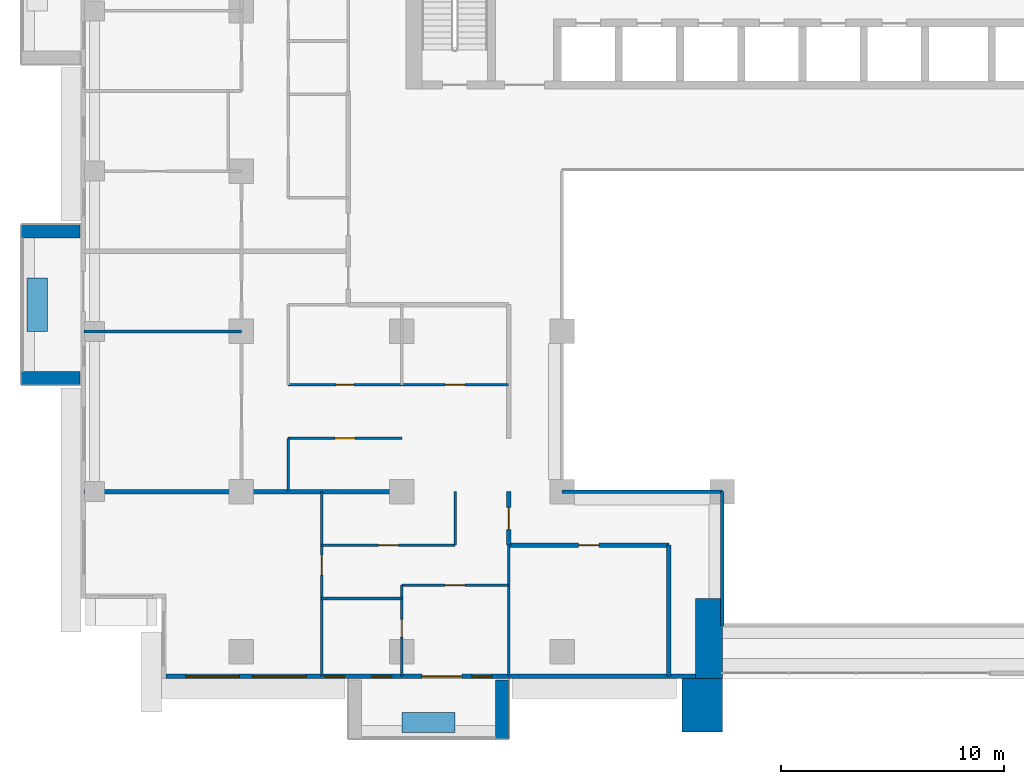
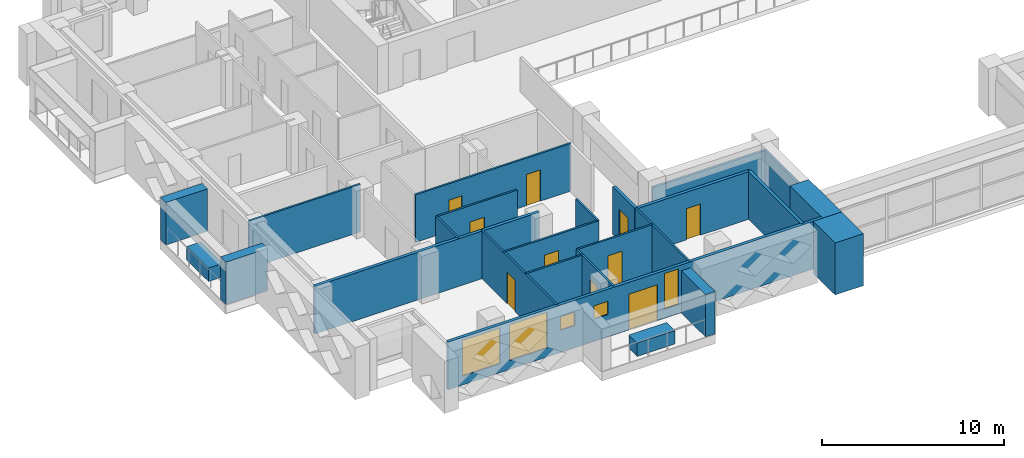
# One storey, part 6 of 20: 25 walls, 10 doors, 5 windows, 15 openings.
"""IFC4 building model written with IfcOpenShell, lengths in metres."""

from ifc_helpers import new_model, si_unit, direction, frame, frame_2d, origin, place, context, subcontext, project, spatial, rectangle, extrude, material, layer, layer_set, type_object, element, fill, save


model = new_model("IFC4")

# Units and contexts
model_context = context("Model", 3, precision=1e-05, world=origin(), true_north=direction((0.0, 1.0)))
body_context = subcontext(model_context, "Body", "Model", "MODEL_VIEW")
ifc_project = project(units=[si_unit("LENGTHUNIT", "METRE"), si_unit("AREAUNIT", "SQUARE_METRE"), si_unit("VOLUMEUNIT", "CUBIC_METRE"), si_unit("PLANEANGLEUNIT", "RADIAN"), si_unit("MASSUNIT", "GRAM", prefix="KILO")], contexts=[model_context])

# Site, building, storey
site_placement = place(None, origin())
site = spatial("IfcSite", under=ifc_project, at=site_placement, CompositionType="ELEMENT")
building_placement = place(site_placement, origin())
building = spatial("IfcBuilding", under=site, at=building_placement, Name="Saffron Iwan Residences", CompositionType="ELEMENT")
storey_placement = place(building_placement, frame((0.0, 0.0, 123.5)))
storey = spatial("IfcBuildingStorey", under=building, at=storey_placement, Name="L32", CompositionType="ELEMENT", Elevation=123.5)

# Walls
ifc_material_1 = material(Name="Fire-rated glazing", Category="glass")
ifc_layer_1 = layer(ifc_material_1, 0.14990234375)
ifc_layer_set_1 = layer_set([ifc_layer_1], Name="Fire-rated glazing")
wall_type_1 = type_object("IfcWallType", Name="Atrium glazed screen 150", PredefinedType="SOLIDWALL", material=ifc_layer_set_1)
wall_1_placement = place(storey_placement, frame((36.0, 48.0, 0.0), z_axis=(0.0, 0.0, 1.0), x_axis=(1.0, 0.0, 0.0)))
element("IfcWall", 1, at=wall_1_placement, inside=storey, type_object=wall_type_1, Name="W-L32-SCREEN-h48-36", PredefinedType="SOLIDWALL", context=body_context, shape_type="SweptSolid", body=[
    extrude(rectangle(XDim=7.199951171875, YDim=0.14990234375, at=frame_2d((3.60009765625, 0.0))), origin(), (0.0, 0.0, 1.0), 2.300048828125),
])
wall_2_placement = place(storey_placement, frame((43.199951171875, 42.0, 0.0), z_axis=(0.0, 0.0, 1.0), x_axis=(0.0, 1.0, 0.0)))
element("IfcWall", 2, at=wall_2_placement, inside=storey, type_object=wall_type_1, Name="W-L32-SCREEN-v43.2-42", PredefinedType="SOLIDWALL", context=body_context, shape_type="SweptSolid", body=[
    extrude(rectangle(XDim=6.0, YDim=0.14990234375, at=frame_2d((3.0, 0.0))), origin(), (0.0, 0.0, 1.0), 2.300048828125),
])
ifc_material_2 = material(Name="Concrete C50/60 white painted", Category="concrete")
ifc_layer_2 = layer(ifc_material_2, 0.60009765625)
ifc_layer_set_2 = layer_set([ifc_layer_2], Name="Concrete C50/60 white painted")
wall_type_2 = type_object("IfcWallType", Name="BALCONY FIN 600", PredefinedType="SOLIDWALL", material=ifc_layer_set_2)
for number, where, z_axis, x_axis, name in (
    (3, (14.35009765625, 59.699951171875, 0.0), (0.0, 0.0, 1.0), (-1.0, 0.0, 0.0), "Balcony fin L32 F8-1a"),
    (4, (14.35009765625, 53.10009765625, 0.0), (0.0, 0.0, 1.0), (-1.0, 0.0, 0.0), "Balcony fin L32 F8-1b"),
    (5, (33.300048828125, 39.550048828125, 0.0), (0.0, 0.0, 1.0), (0.0, -1.0, 0.0), "Balcony fin L32 11-0b"),
):
    element("IfcWall", number, at=place(storey_placement, frame(where, z_axis=z_axis, x_axis=x_axis)), inside=storey, type_object=wall_type_2, Name=name, PredefinedType="SOLIDWALL", context=body_context, shape_type="SweptSolid", body=[
        extrude(rectangle(XDim=2.650146484375, YDim=0.60009765625, at=frame_2d((1.3251953125, 0.0))), origin(), (0.0, 0.0, 1.0), 2.85009765625),
    ])
ifc_material_3 = material(Name="Concrete C35/45 white painted", Category="concrete")
ifc_layer_3 = layer(ifc_material_3, 0.14990234375)
ifc_layer_set_3 = layer_set([ifc_layer_3], Name="Concrete C35/45 white painted")
wall_type_3 = type_object("IfcWallType", Name="BALCONY PLANTER", PredefinedType="SOLIDWALL", material=ifc_layer_set_3)
wall_3_placement = place(storey_placement, frame((12.425048828125, 57.60009765625, 0.0), z_axis=(0.0, 0.0, 1.0), x_axis=(0.0, -1.0, 0.0)))
element("IfcWall", 6, at=wall_3_placement, inside=storey, type_object=wall_type_3, Name="PLANTER L32 F8-1", PredefinedType="SOLIDWALL", context=body_context, shape_type="SweptSolid", body=[
    extrude(rectangle(XDim=2.400146484375, YDim=0.89990234375, at=frame_2d((1.2001953125, 0.0))), origin(), (0.0, 0.0, 1.0), 0.89990234375),
])
wall_4_placement = place(storey_placement, frame((28.800048828125, 37.625, 0.0), z_axis=(0.0, 0.0, 1.0), x_axis=(1.0, 0.0, 0.0)))
element("IfcWall", 7, at=wall_4_placement, inside=storey, type_object=wall_type_3, Name="PLANTER L32 11-0", PredefinedType="SOLIDWALL", context=body_context, shape_type="SweptSolid", body=[
    extrude(rectangle(XDim=2.39990234375, YDim=0.89990234375, at=frame_2d((1.199951171875, 0.0))), origin(), (0.0, 0.0, 1.0), 0.89990234375),
])

# Wall, openings, door, windows
ifc_material_4 = material(Name="Concrete C40/50", Category="concrete")
ifc_layer_4 = layer(ifc_material_4, 0.199951171875)
ifc_layer_set_4 = layer_set([ifc_layer_4], Name="Concrete C40/50")
wall_type_4 = type_object("IfcWallType", Name="EXTERNAL WALL 200", PredefinedType="SOLIDWALL", material=ifc_layer_set_4)
wall_5_placement = place(storey_placement, frame((18.199951171875, 39.699951171875, 0.0), z_axis=(0.0, 0.0, 1.0), x_axis=(1.0, 0.0, 0.0)))
wall_5 = element("IfcWall", 8, at=wall_5_placement, inside=storey, type_object=wall_type_4, Name="External wall L32 F11.0", PredefinedType="SOLIDWALL", context=body_context, shape_type="SweptSolid", body=[
    extrude(rectangle(XDim=23.800048828125, YDim=0.199951171875, at=frame_2d((11.89990234375, 0.0))), origin(), (0.0, 0.0, 1.0), 3.199951171875),
])
opening_1_placement = place(wall_5_placement, frame((11.5, 0.0, 0.0)))
opening_1 = element("IfcOpeningElement", 9, at=opening_1_placement, cuts=wall_5, Name="Opening BD1", PredefinedType="OPENING", context=body_context, shape_type="SweptSolid", body=[
    extrude(rectangle(XDim=1.800048828125, YDim=2.39990234375, at=frame_2d((0.89990234375, 1.199951171875))), frame((0.0, 0.10986328125, 0.0), z_axis=(0.0, -1.0, 0.0), x_axis=(1.0, 0.0, 0.0)), (0.0, 0.0, 1.0), 0.219970703125),
])
opening_2_placement = place(wall_5_placement, frame((0.89990234375, 0.0, 0.60009765625)))
opening_2 = element("IfcOpeningElement", 10, at=opening_2_placement, cuts=wall_5, Name="Opening W1", PredefinedType="OPENING", context=body_context, shape_type="SweptSolid", body=[
    extrude(rectangle(XDim=2.39990234375, YDim=2.39990234375, at=frame_2d((1.199951171875, 1.199951171875))), frame((0.0, 0.10986328125, 0.0), z_axis=(0.0, -1.0, 0.0), x_axis=(1.0, 0.0, 0.0)), (0.0, 0.0, 1.0), 0.219970703125),
])
opening_3_placement = place(wall_5_placement, frame((3.89990234375, 0.0, 0.60009765625)))
opening_3 = element("IfcOpeningElement", 11, at=opening_3_placement, cuts=wall_5, Name="Opening W1", PredefinedType="OPENING", context=body_context, shape_type="SweptSolid", body=[
    extrude(rectangle(XDim=2.39990234375, YDim=2.39990234375, at=frame_2d((1.199951171875, 1.199951171875))), frame((0.0, 0.10986328125, 0.0), z_axis=(0.0, -1.0, 0.0), x_axis=(1.0, 0.0, 0.0)), (0.0, 0.0, 1.0), 0.219970703125),
])
opening_4_placement = place(wall_5_placement, frame((13.75, 0.0, 0.60009765625)))
opening_4 = element("IfcOpeningElement", 12, at=opening_4_placement, cuts=wall_5, Name="Opening W10", PredefinedType="OPENING", context=body_context, shape_type="SweptSolid", body=[
    extrude(rectangle(XDim=0.89990234375, YDim=2.39990234375, at=frame_2d((0.449951171875, 1.199951171875))), frame((0.0, 0.10986328125, 0.0), z_axis=(0.0, -1.0, 0.0), x_axis=(1.0, 0.0, 0.0)), (0.0, 0.0, 1.0), 0.219970703125),
])
opening_5_placement = place(wall_5_placement, frame((7.14990234375, 0.0, 1.5)))
opening_5 = element("IfcOpeningElement", 13, at=opening_5_placement, cuts=wall_5, Name="Opening W6", PredefinedType="OPENING", context=body_context, shape_type="SweptSolid", body=[
    extrude(rectangle(XDim=0.89990234375, YDim=0.89990234375, at=frame_2d((0.449951171875, 0.449951171875))), frame((0.0, 0.10986328125, 0.0), z_axis=(0.0, -1.0, 0.0), x_axis=(1.0, 0.0, 0.0)), (0.0, 0.0, 1.0), 0.219970703125),
])
opening_6_placement = place(wall_5_placement, frame((9.25, 0.0, 1.5)))
opening_6 = element("IfcOpeningElement", 14, at=opening_6_placement, cuts=wall_5, Name="Opening W6", PredefinedType="OPENING", context=body_context, shape_type="SweptSolid", body=[
    extrude(rectangle(XDim=0.89990234375, YDim=0.89990234375, at=frame_2d((0.449951171875, 0.449951171875))), frame((0.0, 0.10986328125, 0.0), z_axis=(0.0, -1.0, 0.0), x_axis=(1.0, 0.0, 0.0)), (0.0, 0.0, 1.0), 0.219970703125),
])
ifc_material_5 = material(Name="Clear glass, laminated double glazed", Category="glass")
door_type_1 = type_object("IfcDoorType", Name="BALCONY DOOR 1800 x 2400", OperationType="DOUBLE_DOOR_SLIDING", PredefinedType="DOOR", material=ifc_material_5)
door_1_placement = place(opening_1_placement, origin())
door_1 = element("IfcDoor", 15, at=door_1_placement, inside=storey, type_object=door_type_1, Name="Balcony door L32 F11.0", OperationType="DOUBLE_DOOR_SLIDING", OverallHeight=2.39990234375, OverallWidth=1.800048828125, PredefinedType="DOOR", context=body_context, shape_type="SweptSolid", body=[
    extrude(rectangle(XDim=1.800048828125, YDim=2.39990234375, at=frame_2d((0.89990234375, 1.199951171875))), frame((0.0, 0.02490234375, 0.0), z_axis=(0.0, -1.0, 0.0), x_axis=(1.0, 0.0, 0.0)), (0.0, 0.0, 1.0), 0.050048828125),
])
fill(opening_1, door_1)
window_type_1 = type_object("IfcWindowType", Name="WINDOW 2400 x 2400", PartitioningType="DOUBLE_PANEL_VERTICAL", PredefinedType="WINDOW", material=ifc_material_5)
window_1_placement = place(opening_2_placement, origin())
window_1 = element("IfcWindow", 16, at=window_1_placement, inside=storey, type_object=window_type_1, Name="Window L32 F11.1", OverallHeight=2.39990234375, OverallWidth=2.39990234375, PartitioningType="DOUBLE_PANEL_VERTICAL", PredefinedType="WINDOW", context=body_context, shape_type="SweptSolid", body=[
    extrude(rectangle(XDim=2.39990234375, YDim=2.39990234375, at=frame_2d((1.199951171875, 1.199951171875))), frame((0.0, 0.030029296875, 0.0), z_axis=(0.0, -1.0, 0.0), x_axis=(1.0, 0.0, 0.0)), (0.0, 0.0, 1.0), 0.06005859375),
])
fill(opening_2, window_1)
window_2_placement = place(opening_3_placement, origin())
window_2 = element("IfcWindow", 17, at=window_2_placement, inside=storey, type_object=window_type_1, Name="Window L32 F11.2", OverallHeight=2.39990234375, OverallWidth=2.39990234375, PartitioningType="DOUBLE_PANEL_VERTICAL", PredefinedType="WINDOW", context=body_context, shape_type="SweptSolid", body=[
    extrude(rectangle(XDim=2.39990234375, YDim=2.39990234375, at=frame_2d((1.199951171875, 1.199951171875))), frame((0.0, 0.030029296875, 0.0), z_axis=(0.0, -1.0, 0.0), x_axis=(1.0, 0.0, 0.0)), (0.0, 0.0, 1.0), 0.06005859375),
])
fill(opening_3, window_2)
window_type_2 = type_object("IfcWindowType", Name="WINDOW 900 x 2400", PartitioningType="SINGLE_PANEL", PredefinedType="WINDOW", material=ifc_material_5)
window_3_placement = place(opening_4_placement, origin())
window_3 = element("IfcWindow", 18, at=window_3_placement, inside=storey, type_object=window_type_2, Name="Window L32 F11.3", OverallHeight=2.39990234375, OverallWidth=0.89990234375, PartitioningType="SINGLE_PANEL", PredefinedType="WINDOW", context=body_context, shape_type="SweptSolid", body=[
    extrude(rectangle(XDim=0.89990234375, YDim=2.39990234375, at=frame_2d((0.449951171875, 1.199951171875))), frame((0.0, 0.030029296875, 0.0), z_axis=(0.0, -1.0, 0.0), x_axis=(1.0, 0.0, 0.0)), (0.0, 0.0, 1.0), 0.06005859375),
])
fill(opening_4, window_3)
window_type_3 = type_object("IfcWindowType", Name="WINDOW 900 x 900 BATH", PartitioningType="SINGLE_PANEL", PredefinedType="WINDOW", material=ifc_material_5)
window_4_placement = place(opening_5_placement, origin())
window_4 = element("IfcWindow", 19, at=window_4_placement, inside=storey, type_object=window_type_3, Name="Window L32 F11.4", OverallHeight=0.89990234375, OverallWidth=0.89990234375, PartitioningType="SINGLE_PANEL", PredefinedType="WINDOW", context=body_context, shape_type="SweptSolid", body=[
    extrude(rectangle(XDim=0.89990234375, YDim=0.89990234375, at=frame_2d((0.449951171875, 0.449951171875))), frame((0.0, 0.030029296875, 0.0), z_axis=(0.0, -1.0, 0.0), x_axis=(1.0, 0.0, 0.0)), (0.0, 0.0, 1.0), 0.06005859375),
])
fill(opening_5, window_4)
window_5_placement = place(opening_6_placement, origin())
window_5 = element("IfcWindow", 20, at=window_5_placement, inside=storey, type_object=window_type_3, Name="Window L32 F11.5", OverallHeight=0.89990234375, OverallWidth=0.89990234375, PartitioningType="SINGLE_PANEL", PredefinedType="WINDOW", context=body_context, shape_type="SweptSolid", body=[
    extrude(rectangle(XDim=0.89990234375, YDim=0.89990234375, at=frame_2d((0.449951171875, 0.449951171875))), frame((0.0, 0.030029296875, 0.0), z_axis=(0.0, -1.0, 0.0), x_axis=(1.0, 0.0, 0.0)), (0.0, 0.0, 1.0), 0.06005859375),
])
fill(opening_6, window_5)

# Walls
ifc_material_6 = material(Name="Fire-rated gypsum board wall")
ifc_layer_5 = layer(ifc_material_6, 0.199951171875)
ifc_layer_set_5 = layer_set([ifc_layer_5], Name="Fire-rated gypsum board wall")
wall_type_5 = type_object("IfcWallType", Name="Flat demising wall 200", PredefinedType="SOLIDWALL", material=ifc_layer_set_5)
wall_6_placement = place(storey_placement, frame((14.52490234375, 48.0, 0.0), z_axis=(0.0, 0.0, 1.0), x_axis=(1.0, 0.0, 0.0)))
element("IfcWall", 21, at=wall_6_placement, inside=storey, type_object=wall_type_5, Name="W-L32-DEMISE-h48-14.525", PredefinedType="SOLIDWALL", context=body_context, shape_type="SweptSolid", body=[
    extrude(rectangle(XDim=14.275146484375, YDim=0.199951171875, at=frame_2d((7.1376953125, 0.0))), origin(), (0.0, 0.0, 1.0), 3.199951171875),
])
ifc_material_7 = material(Name="Gypsum board partition")
ifc_layer_6 = layer(ifc_material_7, 0.1201171875)
ifc_layer_set_6 = layer_set([ifc_layer_6], Name="Gypsum board partition")
wall_type_6 = type_object("IfcWallType", Name="Flat partition 120", PredefinedType="PARTITIONING", material=ifc_layer_set_6)
wall_7_placement = place(storey_placement, frame((25.199951171875, 43.199951171875, 0.0), z_axis=(0.0, 0.0, 1.0), x_axis=(1.0, 0.0, 0.0)))
element("IfcWall", 22, at=wall_7_placement, inside=storey, type_object=wall_type_6, Name="W-L32-PART-h43.2-25.2", PredefinedType="PARTITIONING", context=body_context, shape_type="SweptSolid", body=[
    extrude(rectangle(XDim=3.60009765625, YDim=0.1201171875, at=frame_2d((1.800048828125, 0.0))), origin(), (0.0, 0.0, 1.0), 3.199951171875),
])

# Wall, opening, door
wall_8_placement = place(storey_placement, frame((28.800048828125, 43.800048828125, 0.0), z_axis=(0.0, 0.0, 1.0), x_axis=(1.0, 0.0, 0.0)))
wall_8 = element("IfcWall", 23, at=wall_8_placement, inside=storey, type_object=wall_type_6, Name="W-L32-PART-h43.8-28.8", PredefinedType="PARTITIONING", context=body_context, shape_type="SweptSolid", body=[
    extrude(rectangle(XDim=4.800048828125, YDim=0.1201171875, at=frame_2d((2.39990234375, 0.0))), origin(), (0.0, 0.0, 1.0), 3.199951171875),
])
opening_7_placement = place(wall_8_placement, frame((1.949951171875, 0.0, 0.0)))
opening_7 = element("IfcOpeningElement", 24, at=opening_7_placement, cuts=wall_8, Name="Opening FD2", PredefinedType="OPENING", context=body_context, shape_type="SweptSolid", body=[
    extrude(rectangle(XDim=0.89990234375, YDim=2.10009765625, at=frame_2d((0.449951171875, 1.050048828125))), frame((0.0, 0.070068359375, 0.0), z_axis=(0.0, -1.0, 0.0), x_axis=(1.0, 0.0, 0.0)), (0.0, 0.0, 1.0), 0.14013671875),
])
ifc_material_8 = material(Name="Timber door", Category="wood")
door_type_2 = type_object("IfcDoorType", Name="Flat door 900", OperationType="NOTDEFINED", PredefinedType="DOOR", material=ifc_material_8)
door_2_placement = place(opening_7_placement, origin())
door_2 = element("IfcDoor", 25, at=door_2_placement, inside=storey, type_object=door_type_2, Name="Door L32-003", OperationType="SINGLE_SWING_LEFT", OverallHeight=2.10009765625, OverallWidth=0.89990234375, PredefinedType="DOOR", context=body_context, shape_type="SweptSolid", body=[
    extrude(rectangle(XDim=0.89990234375, YDim=2.10009765625, at=frame_2d((0.449951171875, 1.050048828125))), frame((0.0, 0.02490234375, 0.0), z_axis=(0.0, -1.0, 0.0), x_axis=(1.0, 0.0, 0.0)), (0.0, 0.0, 1.0), 0.050048828125),
])
fill(opening_7, door_2)

wall_9_placement = place(storey_placement, frame((25.199951171875, 45.60009765625, 0.0), z_axis=(0.0, 0.0, 1.0), x_axis=(1.0, 0.0, 0.0)))
wall_9 = element("IfcWall", 26, at=wall_9_placement, inside=storey, type_object=wall_type_6, Name="W-L32-PART-h45.6-25.2", PredefinedType="PARTITIONING", context=body_context, shape_type="SweptSolid", body=[
    extrude(rectangle(XDim=6.0, YDim=0.1201171875, at=frame_2d((3.0, 0.0))), origin(), (0.0, 0.0, 1.0), 3.199951171875),
])
opening_8_placement = place(wall_9_placement, frame((2.550048828125, 0.0, 0.0)))
opening_8 = element("IfcOpeningElement", 27, at=opening_8_placement, cuts=wall_9, Name="Opening FD2", PredefinedType="OPENING", context=body_context, shape_type="SweptSolid", body=[
    extrude(rectangle(XDim=0.89990234375, YDim=2.10009765625, at=frame_2d((0.449951171875, 1.050048828125))), frame((0.0, 0.070068359375, 0.0), z_axis=(0.0, -1.0, 0.0), x_axis=(1.0, 0.0, 0.0)), (0.0, 0.0, 1.0), 0.14013671875),
])
door_3_placement = place(opening_8_placement, origin())
door_3 = element("IfcDoor", 28, at=door_3_placement, inside=storey, type_object=door_type_2, Name="Door L32-005", OperationType="SINGLE_SWING_RIGHT", OverallHeight=2.10009765625, OverallWidth=0.89990234375, PredefinedType="DOOR", context=body_context, shape_type="SweptSolid", body=[
    extrude(rectangle(XDim=0.89990234375, YDim=2.10009765625, at=frame_2d((0.449951171875, 1.050048828125))), frame((0.0, 0.02490234375, 0.0), z_axis=(0.0, -1.0, 0.0), x_axis=(1.0, 0.0, 0.0)), (0.0, 0.0, 1.0), 0.050048828125),
])
fill(opening_8, door_3)

wall_10_placement = place(storey_placement, frame((23.699951171875, 50.39990234375, 0.0), z_axis=(0.0, 0.0, 1.0), x_axis=(1.0, 0.0, 0.0)))
wall_10 = element("IfcWall", 29, at=wall_10_placement, inside=storey, type_object=wall_type_6, Name="W-L32-PART-h50.4-23.7", PredefinedType="PARTITIONING", context=body_context, shape_type="SweptSolid", body=[
    extrude(rectangle(XDim=5.10009765625, YDim=0.1201171875, at=frame_2d((2.550048828125, 0.0))), origin(), (0.0, 0.0, 1.0), 3.199951171875),
])
opening_9_placement = place(wall_10_placement, frame((2.10009765625, 0.0, 0.0)))
opening_9 = element("IfcOpeningElement", 30, at=opening_9_placement, cuts=wall_10, Name="Opening FD2", PredefinedType="OPENING", context=body_context, shape_type="SweptSolid", body=[
    extrude(rectangle(XDim=0.89990234375, YDim=2.10009765625, at=frame_2d((0.449951171875, 1.050048828125))), frame((0.0, 0.070068359375, 0.0), z_axis=(0.0, -1.0, 0.0), x_axis=(1.0, 0.0, 0.0)), (0.0, 0.0, 1.0), 0.14013671875),
])
door_4_placement = place(opening_9_placement, origin())
door_4 = element("IfcDoor", 31, at=door_4_placement, inside=storey, type_object=door_type_2, Name="Door L32-010", OperationType="SINGLE_SWING_LEFT", OverallHeight=2.10009765625, OverallWidth=0.89990234375, PredefinedType="DOOR", context=body_context, shape_type="SweptSolid", body=[
    extrude(rectangle(XDim=0.89990234375, YDim=2.10009765625, at=frame_2d((0.449951171875, 1.050048828125))), frame((0.0, 0.02490234375, 0.0), z_axis=(0.0, -1.0, 0.0), x_axis=(1.0, 0.0, 0.0)), (0.0, 0.0, 1.0), 0.050048828125),
])
fill(opening_9, door_4)

# Wall, openings, doors
wall_11_placement = place(storey_placement, frame((23.699951171875, 52.800048828125, 0.0), z_axis=(0.0, 0.0, 1.0), x_axis=(1.0, 0.0, 0.0)))
wall_11 = element("IfcWall", 32, at=wall_11_placement, inside=storey, type_object=wall_type_6, Name="W-L32-PART-h52.8-23.7", PredefinedType="PARTITIONING", context=body_context, shape_type="SweptSolid", body=[
    extrude(rectangle(XDim=9.900146484375, YDim=0.1201171875, at=frame_2d((4.9501953125, 0.0))), origin(), (0.0, 0.0, 1.0), 3.199951171875),
])
opening_10_placement = place(wall_11_placement, frame((2.14990234375, 0.0, 0.0)))
opening_10 = element("IfcOpeningElement", 33, at=opening_10_placement, cuts=wall_11, Name="Opening FD3", PredefinedType="OPENING", context=body_context, shape_type="SweptSolid", body=[
    extrude(rectangle(XDim=0.800048828125, YDim=2.10009765625, at=frame_2d((0.39990234375, 1.050048828125))), frame((0.0, 0.070068359375, 0.0), z_axis=(0.0, -1.0, 0.0), x_axis=(1.0, 0.0, 0.0)), (0.0, 0.0, 1.0), 0.14013671875),
])
opening_11_placement = place(wall_11_placement, frame((7.050048828125, 0.0, 0.0)))
opening_11 = element("IfcOpeningElement", 34, at=opening_11_placement, cuts=wall_11, Name="Opening FD2", PredefinedType="OPENING", context=body_context, shape_type="SweptSolid", body=[
    extrude(rectangle(XDim=0.89990234375, YDim=2.10009765625, at=frame_2d((0.449951171875, 1.050048828125))), frame((0.0, 0.070068359375, 0.0), z_axis=(0.0, -1.0, 0.0), x_axis=(1.0, 0.0, 0.0)), (0.0, 0.0, 1.0), 0.14013671875),
])
door_type_3 = type_object("IfcDoorType", Name="Bathroom door 800", OperationType="NOTDEFINED", PredefinedType="DOOR", material=ifc_material_8)
door_5_placement = place(opening_10_placement, origin())
door_5 = element("IfcDoor", 35, at=door_5_placement, inside=storey, type_object=door_type_3, Name="Door L32-011", OperationType="SINGLE_SWING_RIGHT", OverallHeight=2.10009765625, OverallWidth=0.800048828125, PredefinedType="DOOR", context=body_context, shape_type="SweptSolid", body=[
    extrude(rectangle(XDim=0.800048828125, YDim=2.10009765625, at=frame_2d((0.39990234375, 1.050048828125))), frame((0.0, 0.02490234375, 0.0), z_axis=(0.0, -1.0, 0.0), x_axis=(1.0, 0.0, 0.0)), (0.0, 0.0, 1.0), 0.050048828125),
])
fill(opening_10, door_5)
door_6_placement = place(opening_11_placement, origin())
door_6 = element("IfcDoor", 36, at=door_6_placement, inside=storey, type_object=door_type_2, Name="Door L32-012", OperationType="SINGLE_SWING_LEFT", OverallHeight=2.10009765625, OverallWidth=0.89990234375, PredefinedType="DOOR", context=body_context, shape_type="SweptSolid", body=[
    extrude(rectangle(XDim=0.89990234375, YDim=2.10009765625, at=frame_2d((0.449951171875, 1.050048828125))), frame((0.0, 0.02490234375, 0.0), z_axis=(0.0, -1.0, 0.0), x_axis=(1.0, 0.0, 0.0)), (0.0, 0.0, 1.0), 0.050048828125),
])
fill(opening_11, door_6)

# Walls
wall_12_placement = place(storey_placement, frame((14.52490234375, 55.199951171875, 0.0), z_axis=(0.0, 0.0, 1.0), x_axis=(1.0, 0.0, 0.0)))
element("IfcWall", 37, at=wall_12_placement, inside=storey, type_object=wall_type_6, Name="W-L32-PART-h55.2-14.525", PredefinedType="PARTITIONING", context=body_context, shape_type="SweptSolid", body=[
    extrude(rectangle(XDim=7.0751953125, YDim=0.1201171875, at=frame_2d((3.53759765625, 0.0))), origin(), (0.0, 0.0, 1.0), 3.199951171875),
])
wall_13_placement = place(storey_placement, frame((23.699951171875, 48.0, 0.0), z_axis=(0.0, 0.0, 1.0), x_axis=(0.0, 1.0, 0.0)))
element("IfcWall", 38, at=wall_13_placement, inside=storey, type_object=wall_type_6, Name="W-L32-PART-v23.7-48", PredefinedType="PARTITIONING", context=body_context, shape_type="SweptSolid", body=[
    extrude(rectangle(XDim=2.39990234375, YDim=0.1201171875, at=frame_2d((1.199951171875, 0.0))), origin(), (0.0, 0.0, 1.0), 3.199951171875),
])

# Wall, opening, door
wall_14_placement = place(storey_placement, frame((25.199951171875, 39.72509765625, 0.0), z_axis=(0.0, 0.0, 1.0), x_axis=(0.0, 1.0, 0.0)))
wall_14 = element("IfcWall", 39, at=wall_14_placement, inside=storey, type_object=wall_type_6, Name="W-L32-PART-v25.2-39.725", PredefinedType="PARTITIONING", context=body_context, shape_type="SweptSolid", body=[
    extrude(rectangle(XDim=8.27490234375, YDim=0.1201171875, at=frame_2d((4.137451171875, 0.0))), origin(), (0.0, 0.0, 1.0), 3.199951171875),
])
opening_12_placement = place(wall_14_placement, frame((4.52490234375, 0.0, 0.0)))
opening_12 = element("IfcOpeningElement", 40, at=opening_12_placement, cuts=wall_14, Name="Opening FD2", PredefinedType="OPENING", context=body_context, shape_type="SweptSolid", body=[
    extrude(rectangle(XDim=0.89990234375, YDim=2.10009765625, at=frame_2d((0.449951171875, 1.050048828125))), frame((0.0, 0.070068359375, 0.0), z_axis=(0.0, -1.0, 0.0), x_axis=(1.0, 0.0, 0.0)), (0.0, 0.0, 1.0), 0.14013671875),
])
door_7_placement = place(opening_12_placement, origin())
door_7 = element("IfcDoor", 41, at=door_7_placement, inside=storey, type_object=door_type_2, Name="Door L32-002", OperationType="SINGLE_SWING_RIGHT", OverallHeight=2.10009765625, OverallWidth=0.89990234375, PredefinedType="DOOR", context=body_context, shape_type="SweptSolid", body=[
    extrude(rectangle(XDim=0.89990234375, YDim=2.10009765625, at=frame_2d((0.449951171875, 1.050048828125))), frame((0.0, 0.02490234375, 0.0), z_axis=(0.0, -1.0, 0.0), x_axis=(1.0, 0.0, 0.0)), (0.0, 0.0, 1.0), 0.050048828125),
])
fill(opening_12, door_7)

wall_15_placement = place(storey_placement, frame((28.800048828125, 39.72509765625, 0.0), z_axis=(0.0, 0.0, 1.0), x_axis=(0.0, 1.0, 0.0)))
wall_15 = element("IfcWall", 42, at=wall_15_placement, inside=storey, type_object=wall_type_6, Name="W-L32-PART-v28.8-39.725", PredefinedType="PARTITIONING", context=body_context, shape_type="SweptSolid", body=[
    extrude(rectangle(XDim=4.074951171875, YDim=0.1201171875, at=frame_2d((2.03759765625, 0.0))), origin(), (0.0, 0.0, 1.0), 3.199951171875),
])
opening_13_placement = place(wall_15_placement, frame((1.737548828125, 0.0, 0.0)))
opening_13 = element("IfcOpeningElement", 43, at=opening_13_placement, cuts=wall_15, Name="Opening FD3", PredefinedType="OPENING", context=body_context, shape_type="SweptSolid", body=[
    extrude(rectangle(XDim=0.800048828125, YDim=2.10009765625, at=frame_2d((0.39990234375, 1.050048828125))), frame((0.0, 0.070068359375, 0.0), z_axis=(0.0, -1.0, 0.0), x_axis=(1.0, 0.0, 0.0)), (0.0, 0.0, 1.0), 0.14013671875),
])
door_8_placement = place(opening_13_placement, origin())
door_8 = element("IfcDoor", 44, at=door_8_placement, inside=storey, type_object=door_type_3, Name="Door L32-004", OperationType="SINGLE_SWING_RIGHT", OverallHeight=2.10009765625, OverallWidth=0.800048828125, PredefinedType="DOOR", context=body_context, shape_type="SweptSolid", body=[
    extrude(rectangle(XDim=0.800048828125, YDim=2.10009765625, at=frame_2d((0.39990234375, 1.050048828125))), frame((0.0, 0.02490234375, 0.0), z_axis=(0.0, -1.0, 0.0), x_axis=(1.0, 0.0, 0.0)), (0.0, 0.0, 1.0), 0.050048828125),
])
fill(opening_13, door_8)

# Walls
wall_16_placement = place(storey_placement, frame((31.199951171875, 45.60009765625, 0.0), z_axis=(0.0, 0.0, 1.0), x_axis=(0.0, 1.0, 0.0)))
element("IfcWall", 45, at=wall_16_placement, inside=storey, type_object=wall_type_6, Name="W-L32-PART-v31.2-45.6", PredefinedType="PARTITIONING", context=body_context, shape_type="SweptSolid", body=[
    extrude(rectangle(XDim=2.39990234375, YDim=0.1201171875, at=frame_2d((1.199951171875, 0.0))), origin(), (0.0, 0.0, 1.0), 3.199951171875),
])
wall_17_placement = place(storey_placement, frame((33.60009765625, 39.72509765625, 0.0), z_axis=(0.0, 0.0, 1.0), x_axis=(0.0, 1.0, 0.0)))
element("IfcWall", 46, at=wall_17_placement, inside=storey, type_object=wall_type_6, Name="W-L32-PART-v33.6-39.725", PredefinedType="PARTITIONING", context=body_context, shape_type="SweptSolid", body=[
    extrude(rectangle(XDim=5.875, YDim=0.1201171875, at=frame_2d((2.9375, 0.0))), origin(), (0.0, 0.0, 1.0), 3.199951171875),
])

# Wall, opening, door
ifc_layer_7 = layer(ifc_material_6, 0.199951171875)
ifc_layer_set_7 = layer_set([ifc_layer_7], Name="Fire-rated gypsum board wall")
wall_type_7 = type_object("IfcWallType", Name="Gallery wall 200", PredefinedType="SOLIDWALL", material=ifc_layer_set_7)
wall_18_placement = place(storey_placement, frame((33.60009765625, 45.60009765625, 0.0), z_axis=(0.0, 0.0, 1.0), x_axis=(1.0, 0.0, 0.0)))
wall_18 = element("IfcWall", 47, at=wall_18_placement, inside=storey, type_object=wall_type_7, Name="W-L32-CORR-h45.6-33.6", PredefinedType="SOLIDWALL", context=body_context, shape_type="SweptSolid", body=[
    extrude(rectangle(XDim=7.199951171875, YDim=0.199951171875, at=frame_2d((3.60009765625, 0.0))), origin(), (0.0, 0.0, 1.0), 3.199951171875),
])
opening_14_placement = place(wall_18_placement, frame((3.14990234375, 0.0, 0.0)))
opening_14 = element("IfcOpeningElement", 48, at=opening_14_placement, cuts=wall_18, Name="Opening FD2", PredefinedType="OPENING", context=body_context, shape_type="SweptSolid", body=[
    extrude(rectangle(XDim=0.89990234375, YDim=2.10009765625, at=frame_2d((0.449951171875, 1.050048828125))), frame((0.0, 0.10986328125, 0.0), z_axis=(0.0, -1.0, 0.0), x_axis=(1.0, 0.0, 0.0)), (0.0, 0.0, 1.0), 0.219970703125),
])
door_9_placement = place(opening_14_placement, origin())
door_9 = element("IfcDoor", 49, at=door_9_placement, inside=storey, type_object=door_type_2, Name="Door L32-006", OperationType="SINGLE_SWING_LEFT", OverallHeight=2.10009765625, OverallWidth=0.89990234375, PredefinedType="DOOR", context=body_context, shape_type="SweptSolid", body=[
    extrude(rectangle(XDim=0.89990234375, YDim=2.10009765625, at=frame_2d((0.449951171875, 1.050048828125))), frame((0.0, 0.02490234375, 0.0), z_axis=(0.0, -1.0, 0.0), x_axis=(1.0, 0.0, 0.0)), (0.0, 0.0, 1.0), 0.050048828125),
])
fill(opening_14, door_9)

wall_19_placement = place(storey_placement, frame((33.60009765625, 45.60009765625, 0.0), z_axis=(0.0, 0.0, 1.0), x_axis=(0.0, 1.0, 0.0)))
wall_19 = element("IfcWall", 50, at=wall_19_placement, inside=storey, type_object=wall_type_7, Name="W-L32-CORR-v33.6-45.6", PredefinedType="SOLIDWALL", context=body_context, shape_type="SweptSolid", body=[
    extrude(rectangle(XDim=2.39990234375, YDim=0.199951171875, at=frame_2d((1.199951171875, 0.0))), origin(), (0.0, 0.0, 1.0), 3.199951171875),
])
opening_15_placement = place(wall_19_placement, frame((0.699951171875, 0.0, 0.0)))
opening_15 = element("IfcOpeningElement", 51, at=opening_15_placement, cuts=wall_19, Name="Opening FD1", PredefinedType="OPENING", context=body_context, shape_type="SweptSolid", body=[
    extrude(rectangle(XDim=1.0, YDim=2.10009765625, at=frame_2d((0.5, 1.050048828125))), frame((0.0, 0.10986328125, 0.0), z_axis=(0.0, -1.0, 0.0), x_axis=(1.0, 0.0, 0.0)), (0.0, 0.0, 1.0), 0.219970703125),
])
ifc_material_9 = material(Name="Fire-rated timber door", Category="wood")
door_type_4 = type_object("IfcDoorType", Name="FD30S flat entrance door 1000", OperationType="NOTDEFINED", PredefinedType="DOOR", material=ifc_material_9)
door_10_placement = place(opening_15_placement, origin())
door_10 = element("IfcDoor", 52, at=door_10_placement, inside=storey, type_object=door_type_4, Name="Door L32-001", OperationType="SINGLE_SWING_LEFT", OverallHeight=2.10009765625, OverallWidth=1.0, PredefinedType="DOOR", context=body_context, shape_type="SweptSolid", body=[
    extrude(rectangle(XDim=1.0, YDim=2.10009765625, at=frame_2d((0.5, 1.050048828125))), frame((0.0, 0.02490234375, 0.0), z_axis=(0.0, -1.0, 0.0), x_axis=(1.0, 0.0, 0.0)), (0.0, 0.0, 1.0), 0.050048828125),
])
fill(opening_15, door_10)

# Walls
wall_20_placement = place(storey_placement, frame((40.800048828125, 39.72509765625, 0.0), z_axis=(0.0, 0.0, 1.0), x_axis=(0.0, 1.0, 0.0)))
element("IfcWall", 53, at=wall_20_placement, inside=storey, type_object=wall_type_7, Name="W-L32-CORR-v40.8-39.725", PredefinedType="SOLIDWALL", context=body_context, shape_type="SweptSolid", body=[
    extrude(rectangle(XDim=5.875, YDim=0.199951171875, at=frame_2d((2.9375, 0.0))), origin(), (0.0, 0.0, 1.0), 3.199951171875),
])
ifc_material_10 = material(Name="Terracotta screen, precast concrete C40/50", Category="masonry")
ifc_layer_8 = layer(ifc_material_10, 1.800048828125)
ifc_layer_set_8 = layer_set([ifc_layer_8], Name="Terracotta screen, precast concrete C40/50")
wall_type_8 = type_object("IfcWallType", Name="Portal pier, precast concrete 1800 (tower)", PredefinedType="SOLIDWALL", material=ifc_layer_set_8)
wall_21_placement = place(storey_placement, frame((42.300048828125, 37.199951171875, -0.300048828125), z_axis=(0.0, 0.0, 1.0), x_axis=(0.0, 1.0, 0.0)))
element("IfcWall", 54, at=wall_21_placement, inside=storey, type_object=wall_type_8, Name="Portal pier W L32", PredefinedType="SOLIDWALL", context=body_context, shape_type="SweptSolid", body=[
    extrude(rectangle(XDim=2.400146484375, YDim=1.800048828125, at=frame_2d((1.2001953125, 0.0))), origin(), (0.0, 0.0, 1.0), 3.5),
])
ifc_material_11 = material(Name="Concrete C50/60", Category="concrete")
ifc_layer_9 = layer(ifc_material_11, 1.199951171875)
ifc_layer_set_9 = layer_set([ifc_layer_9], Name="Concrete C50/60")
wall_type_9 = type_object("IfcWallType", Name="WALL IWAN PIER 1200 C50/60 3200 HIGH", PredefinedType="SHEAR", material=ifc_layer_set_9)
wall_22_placement = place(storey_placement, frame((42.60009765625, 39.60009765625, 0.0), z_axis=(0.0, 0.0, 1.0), x_axis=(0.0, 1.0, 0.0)))
element("IfcWall", 55, at=wall_22_placement, inside=storey, type_object=wall_type_9, Name="IWAN PIER", PredefinedType="SHEAR", context=body_context, shape_type="SweptSolid", body=[
    extrude(rectangle(XDim=3.599853515625, YDim=1.199951171875, at=frame_2d((1.7998046875, 0.0))), origin(), (0.0, 0.0, 1.0), 3.199951171875),
])

save(model, "model.ifc")
